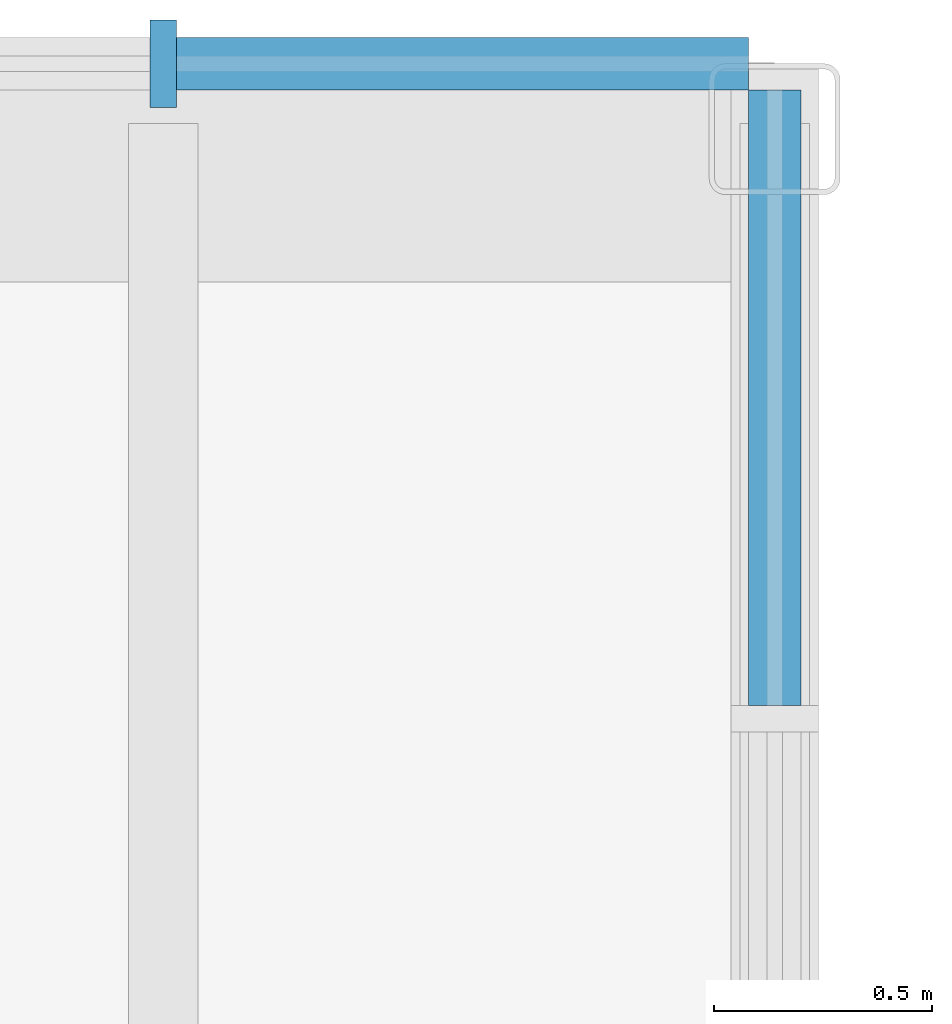
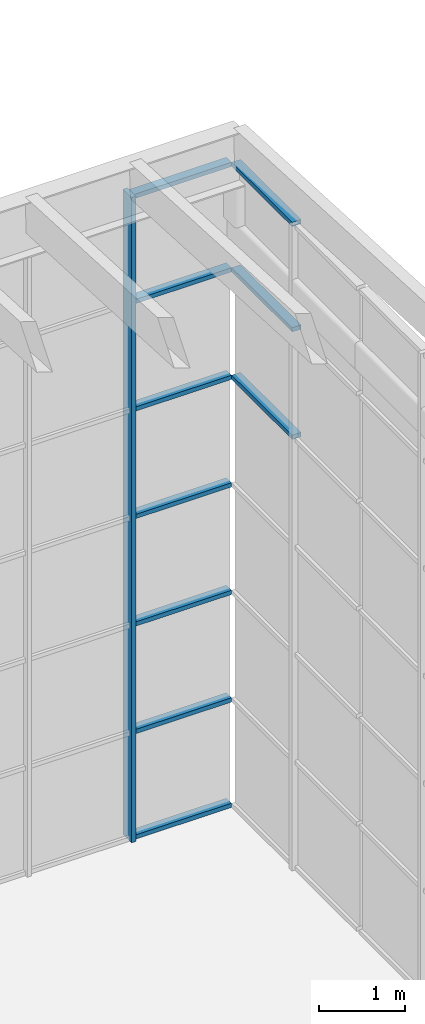
# One storey, part 25 of 114: 11 members, 2 elements without a shape of their own.
"""IFC4 building model written with IfcOpenShell, lengths in metres."""

from ifc_helpers import new_model, si_unit, direction, frame, origin, origin_2d, place, context, subcontext, project, spatial, rectangle, extrude, material, material_profile, profile_set, type_object, element, aggregate, save


model = new_model("IFC4")

# Units and contexts
model_context = context("Model", 3, precision=1e-05, world=origin(), true_north=direction((0.0, 1.0)))
body_context = subcontext(model_context, "Body", "Model", "MODEL_VIEW")
ifc_project = project(units=[si_unit("LENGTHUNIT", "METRE"), si_unit("AREAUNIT", "SQUARE_METRE"), si_unit("VOLUMEUNIT", "CUBIC_METRE"), si_unit("PLANEANGLEUNIT", "RADIAN"), si_unit("MASSUNIT", "GRAM", prefix="KILO")], contexts=[model_context])

# Site, building, storey
site_placement = place(None, origin())
site = spatial("IfcSite", under=ifc_project, at=site_placement, CompositionType="ELEMENT")
building_placement = place(site_placement, origin())
building = spatial("IfcBuilding", under=site, at=building_placement, Name="Almond Square Museum", CompositionType="ELEMENT")
storey_placement = place(building_placement, frame((0.0, 0.0, 10.5)))
storey = spatial("IfcBuildingStorey", under=building, at=storey_placement, Name="L02", CompositionType="ELEMENT", Elevation=10.5)

# Curtain wall, member
ifc_material_1 = material(Name="Aluminium and laminated glass", Category="aluminium")
curtain_wall_type = type_object("IfcCurtainWallType", Name="Unitised curtain wall 1500 module", PredefinedType="NOTDEFINED", material=ifc_material_1)
curtain_wall_1_placement = place(storey_placement, origin())
curtain_wall_1 = element("IfcCurtainWall", 1, at=curtain_wall_1_placement, inside=storey, type_object=curtain_wall_type, Name="Curtain wall CW-21", PredefinedType="NOTDEFINED")
ifc_material_2 = material(Name="Anodised aluminium", Category="aluminium")
ifc_material_profile_1 = material_profile(ifc_material_2, rectangle(XDim=0.199951171875, YDim=0.06005859375, at=origin_2d()))
ifc_profile_set_1 = profile_set([ifc_material_profile_1], Name="Anodised aluminium")
member_type_1 = type_object("IfcMemberType", Name="Aluminium mullion 60 x 200", PredefinedType="MULLION", material=ifc_profile_set_1)
member_1_placement = place(storey_placement, frame((71.800048828125, 115.199951171875, 0.0), z_axis=(0.0, 0.0, 1.0), x_axis=(0.0, 1.0, 0.0)))
member_1 = element("IfcMember", 2, at=member_1_placement, type_object=member_type_1, Name="CW-21 mullion 6", PredefinedType="MULLION", context=body_context, shape_type="SweptSolid", body=[
    extrude(rectangle(XDim=0.199951171875, YDim=0.06005859375, at=origin_2d()), origin(), (0.0, 0.0, 1.0), 9.166259765625),
])

# Curtain wall, members
curtain_wall_2_placement = place(storey_placement, origin())
curtain_wall_2 = element("IfcCurtainWall", 3, at=curtain_wall_2_placement, inside=storey, type_object=curtain_wall_type, Name="Curtain wall CW-20", PredefinedType="NOTDEFINED")
ifc_material_3 = material(Name="Anodised aluminium", Category="aluminium")
ifc_material_profile_2 = material_profile(ifc_material_3, rectangle(XDim=0.1201171875, YDim=0.06005859375, at=origin_2d()))
ifc_profile_set_2 = profile_set([ifc_material_profile_2], Name="Anodised aluminium")
member_type_2 = type_object("IfcMemberType", Name="Aluminium transom 60 x 120", PredefinedType="USERDEFINED", material=ifc_profile_set_2)
member_2_placement = place(storey_placement, frame((73.199951171875, 113.72998046875, 6.11083984375), z_axis=(0.0, 1.0, 0.0), x_axis=(-1.0, 0.0, 0.0)))
member_2 = element("IfcMember", 4, at=member_2_placement, type_object=member_type_2, Name="CW-20 transom 4.5", ObjectType="TRANSOM", PredefinedType="USERDEFINED", context=body_context, shape_type="SweptSolid", body=[
    extrude(rectangle(XDim=0.1201171875, YDim=0.06005859375, at=origin_2d()), origin(), (0.0, 0.0, 1.0), 1.409912109375),
])
member_3_placement = place(storey_placement, frame((73.199951171875, 113.72998046875, 7.638427734375), z_axis=(0.0, 1.0, 0.0), x_axis=(-1.0, 0.0, 0.0)))
member_3 = element("IfcMember", 5, at=member_3_placement, type_object=member_type_2, Name="CW-20 transom 4.6", ObjectType="TRANSOM", PredefinedType="USERDEFINED", context=body_context, shape_type="SweptSolid", body=[
    extrude(rectangle(XDim=0.1201171875, YDim=0.06005859375, at=origin_2d()), origin(), (0.0, 0.0, 1.0), 1.409912109375),
])
member_4_placement = place(storey_placement, frame((73.199951171875, 113.72998046875, 9.13623046875), z_axis=(0.0, 1.0, 0.0), x_axis=(-1.0, 0.0, 0.0)))
member_4 = element("IfcMember", 6, at=member_4_placement, type_object=member_type_2, Name="CW-20 transom 4.7", ObjectType="TRANSOM", PredefinedType="USERDEFINED", context=body_context, shape_type="SweptSolid", body=[
    extrude(rectangle(XDim=0.1201171875, YDim=0.06005859375, at=origin_2d()), origin(), (0.0, 0.0, 1.0), 1.409912109375),
])
aggregate(curtain_wall_2, [member_2, member_3, member_4])

# Member
member_5_placement = place(storey_placement, frame((71.830078125, 115.199951171875, 0.030029296875), z_axis=(1.0, 0.0, 0.0), x_axis=(0.0, 1.0, 0.0)))
member_5 = element("IfcMember", 7, at=member_5_placement, type_object=member_type_2, Name="CW-21 transom 6.1", ObjectType="TRANSOM", PredefinedType="USERDEFINED", context=body_context, shape_type="SweptSolid", body=[
    extrude(rectangle(XDim=0.1201171875, YDim=0.06005859375, at=origin_2d()), origin(), (0.0, 0.0, 1.0), 1.309814453125),
])

member_6_placement = place(storey_placement, frame((71.830078125, 115.199951171875, 1.527587890625), z_axis=(1.0, 0.0, 0.0), x_axis=(0.0, 1.0, 0.0)))
member_6 = element("IfcMember", 8, at=member_6_placement, type_object=member_type_2, Name="CW-21 transom 6.2", ObjectType="TRANSOM", PredefinedType="USERDEFINED", context=body_context, shape_type="SweptSolid", body=[
    extrude(rectangle(XDim=0.1201171875, YDim=0.06005859375, at=origin_2d()), origin(), (0.0, 0.0, 1.0), 1.309814453125),
])

member_7_placement = place(storey_placement, frame((71.830078125, 115.199951171875, 3.055419921875), z_axis=(1.0, 0.0, 0.0), x_axis=(0.0, 1.0, 0.0)))
member_7 = element("IfcMember", 9, at=member_7_placement, type_object=member_type_2, Name="CW-21 transom 6.3", ObjectType="TRANSOM", PredefinedType="USERDEFINED", context=body_context, shape_type="SweptSolid", body=[
    extrude(rectangle(XDim=0.1201171875, YDim=0.06005859375, at=origin_2d()), origin(), (0.0, 0.0, 1.0), 1.309814453125),
])

member_8_placement = place(storey_placement, frame((71.830078125, 115.199951171875, 4.5830078125), z_axis=(1.0, 0.0, 0.0), x_axis=(0.0, 1.0, 0.0)))
member_8 = element("IfcMember", 10, at=member_8_placement, type_object=member_type_2, Name="CW-21 transom 6.4", ObjectType="TRANSOM", PredefinedType="USERDEFINED", context=body_context, shape_type="SweptSolid", body=[
    extrude(rectangle(XDim=0.1201171875, YDim=0.06005859375, at=origin_2d()), origin(), (0.0, 0.0, 1.0), 1.309814453125),
])

member_9_placement = place(storey_placement, frame((71.830078125, 115.199951171875, 6.11083984375), z_axis=(1.0, 0.0, 0.0), x_axis=(0.0, 1.0, 0.0)))
member_9 = element("IfcMember", 11, at=member_9_placement, type_object=member_type_2, Name="CW-21 transom 6.5", ObjectType="TRANSOM", PredefinedType="USERDEFINED", context=body_context, shape_type="SweptSolid", body=[
    extrude(rectangle(XDim=0.1201171875, YDim=0.06005859375, at=origin_2d()), origin(), (0.0, 0.0, 1.0), 1.309814453125),
])

member_10_placement = place(storey_placement, frame((71.830078125, 115.199951171875, 7.638427734375), z_axis=(1.0, 0.0, 0.0), x_axis=(0.0, 1.0, 0.0)))
member_10 = element("IfcMember", 12, at=member_10_placement, type_object=member_type_2, Name="CW-21 transom 6.6", ObjectType="TRANSOM", PredefinedType="USERDEFINED", context=body_context, shape_type="SweptSolid", body=[
    extrude(rectangle(XDim=0.1201171875, YDim=0.06005859375, at=origin_2d()), origin(), (0.0, 0.0, 1.0), 1.309814453125),
])

member_11_placement = place(storey_placement, frame((71.830078125, 115.199951171875, 9.13623046875), z_axis=(1.0, 0.0, 0.0), x_axis=(0.0, 1.0, 0.0)))
member_11 = element("IfcMember", 13, at=member_11_placement, type_object=member_type_2, Name="CW-21 transom 6.7", ObjectType="TRANSOM", PredefinedType="USERDEFINED", context=body_context, shape_type="SweptSolid", body=[
    extrude(rectangle(XDim=0.1201171875, YDim=0.06005859375, at=origin_2d()), origin(), (0.0, 0.0, 1.0), 1.309814453125),
])

aggregate(curtain_wall_1, [member_1, member_5, member_6, member_7, member_8, member_9, member_10, member_11])

save(model, "model.ifc")
